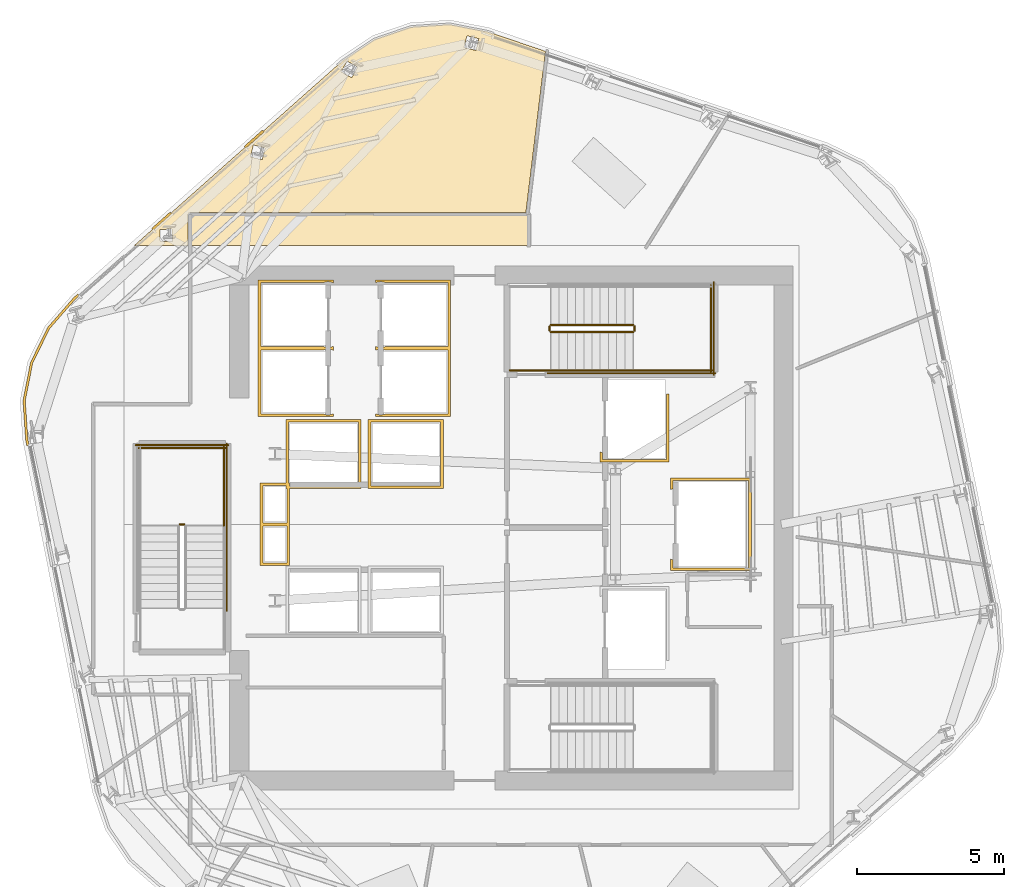
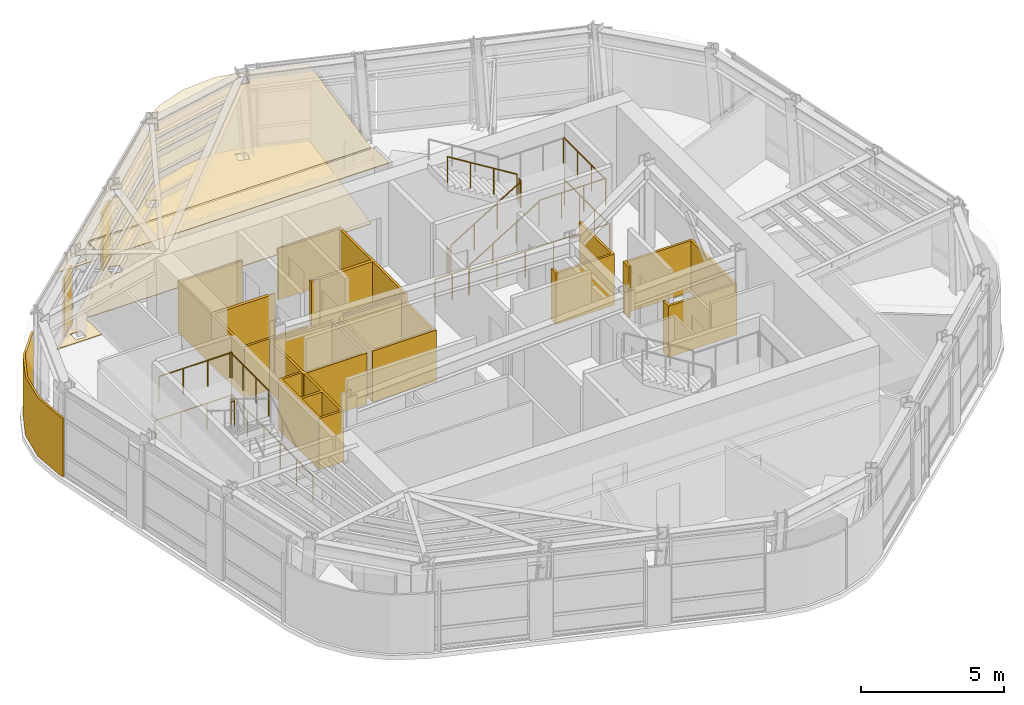
# One storey, part 13 of 15: 15 railings, 12 coverings.
"""IFC4 building model written with IfcOpenShell, lengths in metres."""

from ifc_helpers import new_model, si_unit, direction, frame, origin, origin_2d, place, context, subcontext, project, spatial, polyline, circle, outline, extrude, material, layer, layer_set, type_object, element, save


model = new_model("IFC4")

# Units and contexts
model_context = context("Model", 3, precision=1e-05, world=origin(), true_north=direction((0.0, 1.0)))
body_context = subcontext(model_context, "Body", "Model", "MODEL_VIEW")
ifc_project = project(units=[si_unit("LENGTHUNIT", "METRE"), si_unit("AREAUNIT", "SQUARE_METRE"), si_unit("VOLUMEUNIT", "CUBIC_METRE"), si_unit("PLANEANGLEUNIT", "RADIAN"), si_unit("MASSUNIT", "GRAM", prefix="KILO")], contexts=[model_context])

# Site, building, storey
site_placement = place(None, origin())
site = spatial("IfcSite", under=ifc_project, at=site_placement, CompositionType="ELEMENT")
building_placement = place(site_placement, origin())
building = spatial("IfcBuilding", under=site, at=building_placement, Name="Valkerne Bourse Tower", CompositionType="ELEMENT")
storey_placement = place(building_placement, frame((0.0, 0.0, 201.800048828125)))
storey = spatial("IfcBuildingStorey", under=building, at=storey_placement, Name="L51", CompositionType="ELEMENT", Elevation=201.800048828125)

# Coverings
ifc_material_1 = material(Name="Mineral Fiber Acoustic Ceiling Tile", Category="acoustic")
ifc_layer_1 = layer(ifc_material_1, 0.02490234375)
ifc_layer_set_1 = layer_set([ifc_layer_1], Name="Mineral Fiber Acoustic Ceiling Tile")
covering_type_1 = type_object("IfcCoveringType", Name="COV-CEIL-ACT", PredefinedType="CEILING", material=ifc_layer_set_1)
covering_1_placement = place(storey_placement, frame((0.0, 0.0, 3.25)))
element("IfcCovering", 1, at=covering_1_placement, inside=storey, type_object=covering_type_1, Name="L51 Suspended Ceiling 13", PredefinedType="CEILING", context=body_context, shape_type="SweptSolid", body=[
    extrude(outline(polyline([(41.02978515625, 42.787109375), (42.1328125, 43.5283203125), (43.381103515625, 43.955810546875), (44.697509765625, 44.04541015625), (46.001708984375, 43.789794921875), (47.962890625, 43.122314453125), (47.29638671875, 37.62890625), (35.849609375, 37.62890625), (35.81494140625, 37.61962890625), (35.791015625, 37.595947265625), (35.781005859375, 37.560546875), (35.781005859375, 36.5), (33.94580078125, 36.5), (41.02978515625, 42.787109375)]), holes=[polyline([(35.245849609375, 36.647705078125), (35.2373046875, 37.061279296875), (34.825927734375, 37.0537109375), (34.824462890625, 37.052001953125), (34.8330078125, 36.63818359375), (35.244384765625, 36.64599609375), (35.245849609375, 36.647705078125)]), polyline([(38.3046875, 39.42578125), (38.40869140625, 39.826416015625), (38.010498046875, 39.9306640625), (38.0087890625, 39.929443359375), (37.904541015625, 39.52880859375), (38.302734375, 39.424560546875), (38.3046875, 39.42578125)]), polyline([(41.357421875, 42.224365234375), (41.559814453125, 42.58544921875), (41.201171875, 42.787353515625), (41.198974609375, 42.78662109375), (40.99658203125, 42.425537109375), (41.35498046875, 42.2236328125), (41.357421875, 42.224365234375)]), polyline([(45.68994140625, 43.552001953125), (45.2890625, 43.6533203125), (45.28662109375, 43.6533203125), (45.186279296875, 43.25390625), (45.5869140625, 43.15234375), (45.58935546875, 43.152587890625), (45.68994140625, 43.552001953125)])]), origin(), (0.0, 0.0, 1.0), 0.02490234375),
])
ifc_material_2 = material(Name="Bronze Anodised Aluminium AA 6063-T6", Category="aluminium")
ifc_layer_2 = layer(ifc_material_2, 0.030029296875)
ifc_layer_set_2 = layer_set([ifc_layer_2], Name="Bronze Anodised Aluminium AA 6063-T6")
covering_type_2 = type_object("IfcCoveringType", Name="COV-CEIL-METAL", PredefinedType="CEILING", material=ifc_layer_set_2)
covering_2_placement = place(storey_placement, frame((0.0, 0.0, 3.25)))
element("IfcCovering", 2, at=covering_2_placement, inside=storey, type_object=covering_type_2, Name="L51 Suspended Ceiling 03", PredefinedType="CEILING", context=body_context, shape_type="SweptSolid", body=[
    extrude(outline(polyline([(35.85400390625, 37.555908203125), (47.39599609375, 37.555908203125), (47.39599609375, 36.5), (35.85400390625, 36.5), (35.85400390625, 37.555908203125)])), origin(), (0.0, 0.0, 1.0), 0.02490234375),
])
ifc_layer_3 = layer(ifc_material_2, 0.06005859375)
ifc_layer_set_3 = layer_set([ifc_layer_3], Name="Bronze Anodised Aluminium AA 6063-T6")
covering_type_3 = type_object("IfcCoveringType", Name="COV-CRN-ALUM", PredefinedType="CLADDING", material=ifc_layer_set_3)
covering_3_placement = place(storey_placement, origin())
element("IfcCovering", 3, at=covering_3_placement, inside=storey, type_object=covering_type_3, Name="L51 Wind-Shaped Corner Aluminium Cladding 10", PredefinedType="CLADDING", context=body_context, shape_type="SweptSolid", body=[
    extrude(outline(polyline([(30.243408203125, 29.875244140625), (30.15234375, 31.210205078125), (30.40869140625, 32.516357421875), (30.994140625, 33.711669921875), (31.873779296875, 34.719970703125), (32.018310546875, 34.84814453125), (32.071044921875, 34.7880859375), (31.9306640625, 34.66357421875), (31.061279296875, 33.6669921875), (30.485107421875, 32.490478515625), (30.23291015625, 31.205078125), (30.32275390625, 29.8857421875), (30.359375, 29.70166015625), (30.281005859375, 29.685791015625), (30.243408203125, 29.875244140625)])), origin(), (0.0, 0.0, 1.0), 2.5),
])
covering_4_placement = place(storey_placement, origin())
element("IfcCovering", 4, at=covering_4_placement, inside=storey, type_object=covering_type_3, Name="L51 Wind-Shaped Corner Aluminium Cladding 11", PredefinedType="CLADDING", context=body_context, shape_type="SweptSolid", body=[
    extrude(outline(polyline([(35.16845703125, 37.64404296875), (35.22119140625, 37.583984375), (34.593017578125, 37.0263671875), (34.540283203125, 37.08642578125), (35.16845703125, 37.64404296875)])), origin(), (0.0, 0.0, 1.0), 2.5),
])
covering_5_placement = place(storey_placement, origin())
element("IfcCovering", 5, at=covering_5_placement, inside=storey, type_object=covering_type_3, Name="L51 Wind-Shaped Corner Aluminium Cladding 12", PredefinedType="CLADDING", context=body_context, shape_type="SweptSolid", body=[
    extrude(outline(polyline([(38.318603515625, 40.43994140625), (38.37158203125, 40.3798828125), (37.743408203125, 39.822265625), (37.6904296875, 39.88232421875), (38.318603515625, 40.43994140625)])), origin(), (0.0, 0.0, 1.0), 2.5),
])
ifc_material_3 = material(Name="Polished Granite Stone", Category="masonry")
ifc_layer_4 = layer(ifc_material_3, 0.030029296875)
ifc_layer_set_4 = layer_set([ifc_layer_4], Name="Polished Granite Stone")
covering_type_4 = type_object("IfcCoveringType", Name="COV-FLR-TERRAZZO", PredefinedType="FLOORING", material=ifc_layer_set_4)
covering_6_placement = place(storey_placement, origin())
element("IfcCovering", 6, at=covering_6_placement, inside=storey, type_object=covering_type_4, Name="L51 Floor Finish 13", PredefinedType="FLOORING", context=body_context, shape_type="SweptSolid", body=[
    extrude(outline(polyline([(41.02978515625, 42.787109375), (42.1328125, 43.5283203125), (43.381103515625, 43.955810546875), (44.697509765625, 44.04541015625), (46.001708984375, 43.789794921875), (47.962890625, 43.122314453125), (47.29638671875, 37.62890625), (35.849609375, 37.62890625), (35.81494140625, 37.61962890625), (35.791015625, 37.595947265625), (35.781005859375, 37.560546875), (35.781005859375, 36.5), (33.94580078125, 36.5), (41.02978515625, 42.787109375)]), holes=[polyline([(35.245849609375, 36.647705078125), (35.2373046875, 37.061279296875), (34.825927734375, 37.0537109375), (34.824462890625, 37.052001953125), (34.8330078125, 36.63818359375), (35.244384765625, 36.64599609375), (35.245849609375, 36.647705078125)]), polyline([(38.3046875, 39.42578125), (38.40869140625, 39.826416015625), (38.010498046875, 39.9306640625), (38.0087890625, 39.929443359375), (37.904541015625, 39.52880859375), (38.302734375, 39.424560546875), (38.3046875, 39.42578125)]), polyline([(41.357421875, 42.224365234375), (41.559814453125, 42.58544921875), (41.201171875, 42.787353515625), (41.198974609375, 42.78662109375), (40.99658203125, 42.425537109375), (41.35498046875, 42.2236328125), (41.357421875, 42.224365234375)]), polyline([(45.68994140625, 43.552001953125), (45.2890625, 43.6533203125), (45.28662109375, 43.6533203125), (45.186279296875, 43.25390625), (45.5869140625, 43.15234375), (45.58935546875, 43.152587890625), (45.68994140625, 43.552001953125)])]), origin(), (0.0, 0.0, 1.0), 0.030029296875),
])
ifc_material_4 = material(Name="Gypsum Shaftwall Liner Board", Category="gypsum")
ifc_layer_5 = layer(ifc_material_4, 0.080078125)
ifc_layer_set_5 = layer_set([ifc_layer_5], Name="Gypsum Shaftwall Liner Board")
covering_type_5 = type_object("IfcCoveringType", Name="COV-SHF-CLAD", PredefinedType="CLADDING", material=ifc_layer_set_5)
covering_7_placement = place(storey_placement, origin())
element("IfcCovering", 7, at=covering_7_placement, inside=storey, type_object=covering_type_5, Name="L51 Hoistway & Riser Shaftwall Liner 03", PredefinedType="CLADDING", context=body_context, shape_type="SweptSolid", body=[
    extrude(outline(polyline([(38.239990234375, 28.409912109375), (39.1201171875, 28.409912109375), (39.1201171875, 30.580078125), (41.679931640625, 30.580078125), (41.679931640625, 28.219970703125), (39.239990234375, 28.219970703125), (39.239990234375, 27.0400390625), (39.239990234375, 26.9599609375), (39.239990234375, 25.590087890625), (38.239990234375, 25.590087890625), (38.239990234375, 26.9599609375), (38.239990234375, 27.0400390625), (38.239990234375, 28.409912109375)]), holes=[polyline([(38.330078125, 26.949951171875), (38.330078125, 25.679931640625), (39.14990234375, 25.679931640625), (39.14990234375, 26.949951171875), (38.330078125, 26.949951171875)]), polyline([(39.2099609375, 30.489990234375), (39.2099609375, 28.409912109375), (39.239990234375, 28.409912109375), (39.239990234375, 28.31005859375), (41.590087890625, 28.31005859375), (41.590087890625, 30.489990234375), (39.2099609375, 30.489990234375)]), polyline([(38.330078125, 27.050048828125), (39.14990234375, 27.050048828125), (39.14990234375, 28.219970703125), (39.1201171875, 28.219970703125), (39.1201171875, 28.320068359375), (38.330078125, 28.320068359375), (38.330078125, 27.050048828125)])]), origin(), (0.0, 0.0, 1.0), 2.179931640625),
])
covering_8_placement = place(storey_placement, origin())
element("IfcCovering", 8, at=covering_8_placement, inside=storey, type_object=covering_type_5, Name="L51 Hoistway & Riser Shaftwall Liner 04", PredefinedType="CLADDING", context=body_context, shape_type="SweptSolid", body=[
    extrude(outline(polyline([(38.169921875, 35.330078125), (40.72998046875, 35.330078125), (40.72998046875, 35.232177734375), (40.72216796875, 35.235595703125), (40.6806640625, 35.25048828125), (40.6376953125, 35.261474609375), (40.593994140625, 35.267822265625), (40.550048828125, 35.27001953125), (40.505859375, 35.267822265625), (40.462158203125, 35.261474609375), (40.41943359375, 35.25048828125), (40.3896484375, 35.239990234375), (38.260009765625, 35.239990234375), (38.260009765625, 33.06005859375), (40.3896484375, 33.06005859375), (40.41943359375, 33.04931640625), (40.462158203125, 33.03857421875), (40.505859375, 33.0322265625), (40.550048828125, 33.030029296875), (40.593994140625, 33.0322265625), (40.6376953125, 33.03857421875), (40.6806640625, 33.04931640625), (40.72216796875, 33.064208984375), (40.72998046875, 33.06787109375), (40.72998046875, 33.030029296875), (40.72998046875, 32.969970703125), (40.72998046875, 32.93212890625), (40.72216796875, 32.935791015625), (40.6806640625, 32.95068359375), (40.6376953125, 32.96142578125), (40.593994140625, 32.9677734375), (40.550048828125, 32.969970703125), (40.505859375, 32.9677734375), (40.462158203125, 32.96142578125), (40.41943359375, 32.95068359375), (40.3896484375, 32.93994140625), (38.260009765625, 32.93994140625), (38.260009765625, 30.760009765625), (40.3896484375, 30.760009765625), (40.41943359375, 30.74951171875), (40.462158203125, 30.738525390625), (40.505859375, 30.732177734375), (40.550048828125, 30.72998046875), (40.593994140625, 30.732177734375), (40.6376953125, 30.738525390625), (40.6806640625, 30.74951171875), (40.72216796875, 30.764404296875), (40.72998046875, 30.767822265625), (40.72998046875, 30.669921875), (38.169921875, 30.669921875), (38.169921875, 32.969970703125), (38.169921875, 33.030029296875), (38.169921875, 35.330078125)])), origin(), (0.0, 0.0, 1.0), 2.179931640625),
])
covering_9_placement = place(storey_placement, origin())
element("IfcCovering", 9, at=covering_9_placement, inside=storey, type_object=covering_type_5, Name="L51 Hoistway & Riser Shaftwall Liner 06", PredefinedType="CLADDING", context=body_context, shape_type="SweptSolid", body=[
    extrude(outline(polyline([(54.97998046875, 25.419921875), (52.219970703125, 25.419921875), (52.219970703125, 25.81787109375), (52.227783203125, 25.814208984375), (52.269287109375, 25.79931640625), (52.31005859375, 25.789306640625), (52.31005859375, 25.510009765625), (54.889892578125, 25.510009765625), (54.889892578125, 28.489990234375), (52.31005859375, 28.489990234375), (52.31005859375, 28.210693359375), (52.269287109375, 28.20068359375), (52.227783203125, 28.185791015625), (52.219970703125, 28.18212890625), (52.219970703125, 28.580078125), (54.97998046875, 28.580078125), (54.97998046875, 25.419921875)])), origin(), (0.0, 0.0, 1.0), 2.179931640625),
])
covering_10_placement = place(storey_placement, origin())
element("IfcCovering", 10, at=covering_10_placement, inside=storey, type_object=covering_type_5, Name="L51 Hoistway & Riser Shaftwall Liner 07", PredefinedType="CLADDING", context=body_context, shape_type="SweptSolid", body=[
    extrude(outline(polyline([(44.47998046875, 28.219970703125), (41.919921875, 28.219970703125), (41.919921875, 30.580078125), (44.47998046875, 30.580078125), (44.47998046875, 28.219970703125)]), holes=[polyline([(42.010009765625, 30.489990234375), (42.010009765625, 28.31005859375), (44.389892578125, 28.31005859375), (44.389892578125, 30.489990234375), (42.010009765625, 30.489990234375)])]), origin(), (0.0, 0.0, 1.0), 2.179931640625),
])
covering_11_placement = place(storey_placement, origin())
element("IfcCovering", 11, at=covering_11_placement, inside=storey, type_object=covering_type_5, Name="L51 Hoistway & Riser Shaftwall Liner 08", PredefinedType="CLADDING", context=body_context, shape_type="SweptSolid", body=[
    extrude(outline(polyline([(49.820068359375, 29.1201171875), (49.820068359375, 29.468017578125), (49.827880859375, 29.46435546875), (49.869384765625, 29.449462890625), (49.909912109375, 29.439208984375), (49.909912109375, 29.2099609375), (52.090087890625, 29.2099609375), (52.090087890625, 31.449951171875), (52.179931640625, 31.449951171875), (52.179931640625, 29.1201171875), (49.820068359375, 29.1201171875)])), origin(), (0.0, 0.0, 1.0), 2.179931640625),
])
covering_12_placement = place(storey_placement, origin())
element("IfcCovering", 12, at=covering_12_placement, inside=storey, type_object=covering_type_5, Name="L51 Hoistway & Riser Shaftwall Liner 09", PredefinedType="CLADDING", context=body_context, shape_type="SweptSolid", body=[
    extrude(outline(polyline([(42.169921875, 33.06787109375), (42.177734375, 33.064208984375), (42.219482421875, 33.04931640625), (42.26220703125, 33.03857421875), (42.305908203125, 33.0322265625), (42.35009765625, 33.030029296875), (42.39404296875, 33.0322265625), (42.437744140625, 33.03857421875), (42.480712890625, 33.04931640625), (42.51025390625, 33.06005859375), (44.639892578125, 33.06005859375), (44.639892578125, 35.239990234375), (42.51025390625, 35.239990234375), (42.480712890625, 35.25048828125), (42.437744140625, 35.261474609375), (42.39404296875, 35.267822265625), (42.35009765625, 35.27001953125), (42.305908203125, 35.267822265625), (42.26220703125, 35.261474609375), (42.219482421875, 35.25048828125), (42.177734375, 35.235595703125), (42.169921875, 35.232177734375), (42.169921875, 35.330078125), (44.72998046875, 35.330078125), (44.72998046875, 33.030029296875), (44.72998046875, 32.969970703125), (44.72998046875, 30.669921875), (42.169921875, 30.669921875), (42.169921875, 30.767822265625), (42.177734375, 30.764404296875), (42.219482421875, 30.74951171875), (42.26220703125, 30.738525390625), (42.305908203125, 30.732177734375), (42.35009765625, 30.72998046875), (42.39404296875, 30.732177734375), (42.437744140625, 30.738525390625), (42.480712890625, 30.74951171875), (42.51025390625, 30.760009765625), (44.639892578125, 30.760009765625), (44.639892578125, 32.93994140625), (42.51025390625, 32.93994140625), (42.480712890625, 32.95068359375), (42.437744140625, 32.96142578125), (42.39404296875, 32.9677734375), (42.35009765625, 32.969970703125), (42.305908203125, 32.9677734375), (42.26220703125, 32.96142578125), (42.219482421875, 32.95068359375), (42.177734375, 32.935791015625), (42.169921875, 32.93212890625), (42.169921875, 32.969970703125), (42.169921875, 33.030029296875), (42.169921875, 33.06787109375)])), origin(), (0.0, 0.0, 1.0), 2.179931640625),
])

# Railings
ifc_material_5 = material(Name="Galvanised Painted Steel", Category="steel")
railing_type_1 = type_object("IfcRailingType", Name="RLG-ST-GUARD-1120", PredefinedType="GUARDRAIL", material=ifc_material_5)
railing_1_placement = place(storey_placement, frame((48.14990234375, 33.550048828125, 0.172607421875)))
element("IfcRailing", 13, at=railing_1_placement, inside=storey, type_object=railing_type_1, Name="L51 ST-2 stair guard 1", PredefinedType="GUARDRAIL", context=body_context, shape_type="SweptSolid", body=[
    extrude(circle(Radius=0.02392578125, at=origin_2d()), frame((0.0, 0.0, 1.09619140625), z_axis=(0.851089632645, 0.0, 0.525020415988), x_axis=(0.0, 1.0, 0.0)), (0.0, 0.0, 1.0), 3.2900390625),
    extrude(circle(Radius=0.02099609375, at=origin_2d()), origin(), (0.0, 0.0, 1.0), 1.072021484375),
    extrude(circle(Radius=0.02099609375, at=origin_2d()), frame((0.933349609375, 0.0, 0.57568359375)), (0.0, 0.0, 1.0), 1.072021484375),
    extrude(circle(Radius=0.02099609375, at=origin_2d()), frame((1.86669921875, 0.0, 1.151611328125)), (0.0, 0.0, 1.0), 1.072021484375),
    extrude(circle(Radius=0.02099609375, at=origin_2d()), frame((2.800048828125, 0.0, 1.727294921875)), (0.0, 0.0, 1.0), 1.072021484375),
])
railing_2_placement = place(storey_placement, frame((51.0, 33.60009765625, 1.89990234375)))
element("IfcRailing", 14, at=railing_2_placement, inside=storey, type_object=railing_type_1, Name="L51 ST-2 stair guard 2", PredefinedType="GUARDRAIL", context=body_context, shape_type="SweptSolid", body=[
    extrude(circle(Radius=0.02392578125, at=origin_2d()), frame((0.0, 0.0, 1.09619140625), z_axis=(0.0, 1.0, 0.0), x_axis=(-1.0, 0.0, 0.0)), (0.0, 0.0, 1.0), 0.14990234375),
    extrude(circle(Radius=0.02099609375, at=origin_2d()), origin(), (0.0, 0.0, 1.0), 1.072021484375),
    extrude(circle(Radius=0.02099609375, at=origin_2d()), frame((0.0, 0.14990234375, 0.0)), (0.0, 0.0, 1.0), 1.072021484375),
])
railing_3_placement = place(storey_placement, frame((50.949951171875, 32.25, 1.89990234375)))
element("IfcRailing", 15, at=railing_3_placement, inside=storey, type_object=railing_type_1, Name="L51 ST-2 stair guard 3", PredefinedType="GUARDRAIL", context=body_context, shape_type="SweptSolid", body=[
    extrude(circle(Radius=0.02392578125, at=origin_2d()), frame((0.0, 0.0, 1.09619140625), z_axis=(1.0, 0.0, 0.0), x_axis=(0.0, 1.0, 0.0)), (0.0, 0.0, 1.0), 2.699951171875),
    extrude(circle(Radius=0.02099609375, at=origin_2d()), origin(), (0.0, 0.0, 1.0), 1.072021484375),
    extrude(circle(Radius=0.02099609375, at=origin_2d()), frame((0.89990234375, 0.0, 0.0)), (0.0, 0.0, 1.0), 1.072021484375),
    extrude(circle(Radius=0.02099609375, at=origin_2d()), frame((1.800048828125, 0.0, 0.0)), (0.0, 0.0, 1.0), 1.072021484375),
    extrude(circle(Radius=0.02099609375, at=origin_2d()), frame((2.699951171875, 0.0, 0.0)), (0.0, 0.0, 1.0), 1.072021484375),
])
railing_4_placement = place(storey_placement, frame((53.60009765625, 32.199951171875, 1.89990234375)))
element("IfcRailing", 16, at=railing_4_placement, inside=storey, type_object=railing_type_1, Name="L51 ST-2 stair guard 5", PredefinedType="GUARDRAIL", context=body_context, shape_type="SweptSolid", body=[
    extrude(circle(Radius=0.02392578125, at=origin_2d()), frame((0.0, 0.0, 1.09619140625), z_axis=(0.0, 1.0, 0.0), x_axis=(-1.0, 0.0, 0.0)), (0.0, 0.0, 1.0), 2.949951171875),
    extrude(circle(Radius=0.02099609375, at=origin_2d()), origin(), (0.0, 0.0, 1.0), 1.072021484375),
    extrude(circle(Radius=0.02099609375, at=origin_2d()), frame((0.0, 0.9833984375, 0.0)), (0.0, 0.0, 1.0), 1.072021484375),
    extrude(circle(Radius=0.02099609375, at=origin_2d()), frame((0.0, 1.966552734375, 0.0)), (0.0, 0.0, 1.0), 1.072021484375),
    extrude(circle(Radius=0.02099609375, at=origin_2d()), frame((0.0, 2.949951171875, 0.0)), (0.0, 0.0, 1.0), 1.072021484375),
])
railing_5_placement = place(storey_placement, frame((50.949951171875, 33.800048828125, 2.07275390625)))
element("IfcRailing", 17, at=railing_5_placement, inside=storey, type_object=railing_type_1, Name="L51 ST-2 stair guard 6", PredefinedType="GUARDRAIL", context=body_context, shape_type="SweptSolid", body=[
    extrude(circle(Radius=0.02392578125, at=origin_2d()), frame((0.0, 0.0, 1.09619140625), z_axis=(-0.851089632645, 0.0, 0.525020415988), x_axis=(0.0, -1.0, 0.0)), (0.0, 0.0, 1.0), 3.2900390625),
    extrude(circle(Radius=0.02099609375, at=origin_2d()), origin(), (0.0, 0.0, 1.0), 1.072021484375),
    extrude(circle(Radius=0.02099609375, at=origin_2d()), frame((-0.933349609375, 0.0, 0.57568359375)), (0.0, 0.0, 1.0), 1.072021484375),
    extrude(circle(Radius=0.02099609375, at=origin_2d()), frame((-1.86669921875, 0.0, 1.151611328125)), (0.0, 0.0, 1.0), 1.072021484375),
    extrude(circle(Radius=0.02099609375, at=origin_2d()), frame((-2.800048828125, 0.0, 1.727294921875)), (0.0, 0.0, 1.0), 1.072021484375),
])
railing_6_placement = place(storey_placement, frame((48.10009765625, 33.60009765625, 0.0)))
element("IfcRailing", 18, at=railing_6_placement, inside=storey, type_object=railing_type_1, Name="L51 ST-2 stair guard 7", PredefinedType="GUARDRAIL", context=body_context, shape_type="SweptSolid", body=[
    extrude(circle(Radius=0.02392578125, at=origin_2d()), frame((0.0, 0.0, 1.09619140625), z_axis=(0.0, 1.0, 0.0), x_axis=(-1.0, 0.0, 0.0)), (0.0, 0.0, 1.0), 0.14990234375),
    extrude(circle(Radius=0.02099609375, at=origin_2d()), origin(), (0.0, 0.0, 1.0), 1.072021484375),
    extrude(circle(Radius=0.02099609375, at=origin_2d()), frame((0.0, 0.14990234375, 0.0)), (0.0, 0.0, 1.0), 1.072021484375),
])
railing_7_placement = place(storey_placement, frame((46.75, 32.25, 0.0)))
element("IfcRailing", 19, at=railing_7_placement, inside=storey, type_object=railing_type_1, Name="L51 ST-2 stair guard 8", PredefinedType="GUARDRAIL", context=body_context, shape_type="SweptSolid", body=[
    extrude(circle(Radius=0.02392578125, at=origin_2d()), frame((0.0, 0.0, 1.09619140625), z_axis=(1.0, 0.0, 0.0), x_axis=(0.0, 1.0, 0.0)), (0.0, 0.0, 1.0), 1.39990234375),
    extrude(circle(Radius=0.02099609375, at=origin_2d()), origin(), (0.0, 0.0, 1.0), 1.072021484375),
    extrude(circle(Radius=0.02099609375, at=origin_2d()), frame((0.699951171875, 0.0, 0.0)), (0.0, 0.0, 1.0), 1.072021484375),
    extrude(circle(Radius=0.02099609375, at=origin_2d()), frame((1.39990234375, 0.0, 0.0)), (0.0, 0.0, 1.0), 1.072021484375),
])
railing_8_placement = place(storey_placement, frame((48.050048828125, 32.14990234375, 0.0)))
element("IfcRailing", 20, at=railing_8_placement, inside=storey, type_object=railing_type_1, Name="L51 ST-2 stair guard 10", PredefinedType="GUARDRAIL", context=body_context, shape_type="SweptSolid", body=[
    extrude(circle(Radius=0.02392578125, at=origin_2d()), frame((0.0, 0.0, 1.09619140625), z_axis=(1.0, 0.0, 0.0), x_axis=(0.0, 1.0, 0.0)), (0.0, 0.0, 1.0), 5.699951171875),
    extrude(circle(Radius=0.02099609375, at=origin_2d()), origin(), (0.0, 0.0, 1.0), 1.072021484375),
    extrude(circle(Radius=0.02099609375, at=origin_2d()), frame((1.139892578125, 0.0, 0.0)), (0.0, 0.0, 1.0), 1.072021484375),
    extrude(circle(Radius=0.02099609375, at=origin_2d()), frame((2.280029296875, 0.0, 0.0)), (0.0, 0.0, 1.0), 1.072021484375),
    extrude(circle(Radius=0.02099609375, at=origin_2d()), frame((3.419921875, 0.0, 0.0)), (0.0, 0.0, 1.0), 1.072021484375),
    extrude(circle(Radius=0.02099609375, at=origin_2d()), frame((4.56005859375, 0.0, 0.0)), (0.0, 0.0, 1.0), 1.072021484375),
    extrude(circle(Radius=0.02099609375, at=origin_2d()), frame((5.699951171875, 0.0, 0.0)), (0.0, 0.0, 1.0), 1.072021484375),
])
railing_9_placement = place(storey_placement, frame((53.699951171875, 32.10009765625, 0.0)))
element("IfcRailing", 21, at=railing_9_placement, inside=storey, type_object=railing_type_1, Name="L51 ST-2 stair guard 12", PredefinedType="GUARDRAIL", context=body_context, shape_type="SweptSolid", body=[
    extrude(circle(Radius=0.02392578125, at=origin_2d()), frame((0.0, 0.0, 1.09619140625), z_axis=(0.0, 1.0, 0.0), x_axis=(-1.0, 0.0, 0.0)), (0.0, 0.0, 1.0), 3.14990234375),
    extrude(circle(Radius=0.02099609375, at=origin_2d()), origin(), (0.0, 0.0, 1.0), 1.072021484375),
    extrude(circle(Radius=0.02099609375, at=origin_2d()), frame((0.0, 1.050048828125, 0.0)), (0.0, 0.0, 1.0), 1.072021484375),
    extrude(circle(Radius=0.02099609375, at=origin_2d()), frame((0.0, 2.099853515625, 0.0)), (0.0, 0.0, 1.0), 1.072021484375),
    extrude(circle(Radius=0.02099609375, at=origin_2d()), frame((0.0, 3.14990234375, 0.0)), (0.0, 0.0, 1.0), 1.072021484375),
])
railing_10_placement = place(storey_placement, frame((35.64990234375, 27.0, 1.89990234375)))
element("IfcRailing", 22, at=railing_10_placement, inside=storey, type_object=railing_type_1, Name="L51 ST-3 stair guard 2", PredefinedType="GUARDRAIL", context=body_context, shape_type="SweptSolid", body=[
    extrude(circle(Radius=0.02392578125, at=origin_2d()), frame((0.0, 0.0, 1.09619140625), z_axis=(-1.0, 0.0, 0.0), x_axis=(0.0, -1.0, 0.0)), (0.0, 0.0, 1.0), 0.14990234375),
    extrude(circle(Radius=0.02099609375, at=origin_2d()), origin(), (0.0, 0.0, 1.0), 1.072021484375),
    extrude(circle(Radius=0.02099609375, at=origin_2d()), frame((-0.14990234375, 0.0, 0.0)), (0.0, 0.0, 1.0), 1.072021484375),
])
railing_11_placement = place(storey_placement, frame((37.0, 26.949951171875, 1.89990234375)))
element("IfcRailing", 23, at=railing_11_placement, inside=storey, type_object=railing_type_1, Name="L51 ST-3 stair guard 3", PredefinedType="GUARDRAIL", context=body_context, shape_type="SweptSolid", body=[
    extrude(circle(Radius=0.02392578125, at=origin_2d()), frame((0.0, 0.0, 1.09619140625), z_axis=(0.0, 1.0, 0.0), x_axis=(-1.0, 0.0, 0.0)), (0.0, 0.0, 1.0), 2.699951171875),
    extrude(circle(Radius=0.02099609375, at=origin_2d()), origin(), (0.0, 0.0, 1.0), 1.072021484375),
    extrude(circle(Radius=0.02099609375, at=origin_2d()), frame((0.0, 0.89990234375, 0.0)), (0.0, 0.0, 1.0), 1.072021484375),
    extrude(circle(Radius=0.02099609375, at=origin_2d()), frame((0.0, 1.800048828125, 0.0)), (0.0, 0.0, 1.0), 1.072021484375),
    extrude(circle(Radius=0.02099609375, at=origin_2d()), frame((0.0, 2.699951171875, 0.0)), (0.0, 0.0, 1.0), 1.072021484375),
])
railing_12_placement = place(storey_placement, frame((37.050048828125, 29.60009765625, 1.89990234375)))
element("IfcRailing", 24, at=railing_12_placement, inside=storey, type_object=railing_type_1, Name="L51 ST-3 stair guard 5", PredefinedType="GUARDRAIL", context=body_context, shape_type="SweptSolid", body=[
    extrude(circle(Radius=0.02392578125, at=origin_2d()), frame((0.0, 0.0, 1.09619140625), z_axis=(-1.0, 0.0, 0.0), x_axis=(0.0, -1.0, 0.0)), (0.0, 0.0, 1.0), 2.949951171875),
    extrude(circle(Radius=0.02099609375, at=origin_2d()), origin(), (0.0, 0.0, 1.0), 1.072021484375),
    extrude(circle(Radius=0.02099609375, at=origin_2d()), frame((-0.9833984375, 0.0, 0.0)), (0.0, 0.0, 1.0), 1.072021484375),
    extrude(circle(Radius=0.02099609375, at=origin_2d()), frame((-1.966552734375, 0.0, 0.0)), (0.0, 0.0, 1.0), 1.072021484375),
    extrude(circle(Radius=0.02099609375, at=origin_2d()), frame((-2.949951171875, 0.0, 0.0)), (0.0, 0.0, 1.0), 1.072021484375),
])
railing_13_placement = place(storey_placement, frame((37.10009765625, 24.050048828125, 0.0)))
element("IfcRailing", 25, at=railing_13_placement, inside=storey, type_object=railing_type_1, Name="L51 ST-3 stair guard 10", PredefinedType="GUARDRAIL", context=body_context, shape_type="SweptSolid", body=[
    extrude(circle(Radius=0.02392578125, at=origin_2d()), frame((0.0, 0.0, 1.09619140625), z_axis=(0.0, 1.0, 0.0), x_axis=(-1.0, 0.0, 0.0)), (0.0, 0.0, 1.0), 5.699951171875),
    extrude(circle(Radius=0.02099609375, at=origin_2d()), origin(), (0.0, 0.0, 1.0), 1.072021484375),
    extrude(circle(Radius=0.02099609375, at=origin_2d()), frame((0.0, 1.139892578125, 0.0)), (0.0, 0.0, 1.0), 1.072021484375),
    extrude(circle(Radius=0.02099609375, at=origin_2d()), frame((0.0, 2.280029296875, 0.0)), (0.0, 0.0, 1.0), 1.072021484375),
    extrude(circle(Radius=0.02099609375, at=origin_2d()), frame((0.0, 3.419921875, 0.0)), (0.0, 0.0, 1.0), 1.072021484375),
    extrude(circle(Radius=0.02099609375, at=origin_2d()), frame((0.0, 4.56005859375, 0.0)), (0.0, 0.0, 1.0), 1.072021484375),
    extrude(circle(Radius=0.02099609375, at=origin_2d()), frame((0.0, 5.699951171875, 0.0)), (0.0, 0.0, 1.0), 1.072021484375),
])
railing_14_placement = place(storey_placement, frame((37.14990234375, 29.699951171875, 0.0)))
element("IfcRailing", 26, at=railing_14_placement, inside=storey, type_object=railing_type_1, Name="L51 ST-3 stair guard 12", PredefinedType="GUARDRAIL", context=body_context, shape_type="SweptSolid", body=[
    extrude(circle(Radius=0.02392578125, at=origin_2d()), frame((0.0, 0.0, 1.09619140625), z_axis=(-1.0, 0.0, 0.0), x_axis=(0.0, -1.0, 0.0)), (0.0, 0.0, 1.0), 3.14990234375),
    extrude(circle(Radius=0.02099609375, at=origin_2d()), origin(), (0.0, 0.0, 1.0), 1.072021484375),
    extrude(circle(Radius=0.02099609375, at=origin_2d()), frame((-1.050048828125, 0.0, 0.0)), (0.0, 0.0, 1.0), 1.072021484375),
    extrude(circle(Radius=0.02099609375, at=origin_2d()), frame((-2.099853515625, 0.0, 0.0)), (0.0, 0.0, 1.0), 1.072021484375),
    extrude(circle(Radius=0.02099609375, at=origin_2d()), frame((-3.14990234375, 0.0, 0.0)), (0.0, 0.0, 1.0), 1.072021484375),
])
ifc_material_6 = material(Name="Stainless Steel AISI 316", Category="steel")
railing_type_2 = type_object("IfcRailingType", Name="RLG-ST-HANDRAIL-900", PredefinedType="HANDRAIL", material=ifc_material_6)
railing_15_placement = place(storey_placement, frame((48.14990234375, 32.25, 0.345458984375)))
element("IfcRailing", 27, at=railing_15_placement, inside=storey, type_object=railing_type_2, Name="L51 ST-2 stair handrail 1", PredefinedType="HANDRAIL", context=body_context, shape_type="SweptSolid", body=[
    extrude(circle(Radius=0.02392578125, at=origin_2d()), frame((0.0, 0.0, 0.8759765625), z_axis=(0.851089632645, 0.0, 0.525020415988), x_axis=(0.0, 1.0, 0.0)), (0.0, 0.0, 1.0), 3.2900390625),
    extrude(circle(Radius=0.02099609375, at=origin_2d()), origin(), (0.0, 0.0, 1.0), 0.851806640625),
    extrude(circle(Radius=0.02099609375, at=origin_2d()), frame((0.933349609375, 0.0, 0.57568359375)), (0.0, 0.0, 1.0), 0.851806640625),
    extrude(circle(Radius=0.02099609375, at=origin_2d()), frame((1.86669921875, 0.0, 1.151611328125)), (0.0, 0.0, 1.0), 0.851806640625),
    extrude(circle(Radius=0.02099609375, at=origin_2d()), frame((2.800048828125, 0.0, 1.727294921875)), (0.0, 0.0, 1.0), 0.851806640625),
])

save(model, "model.ifc")
